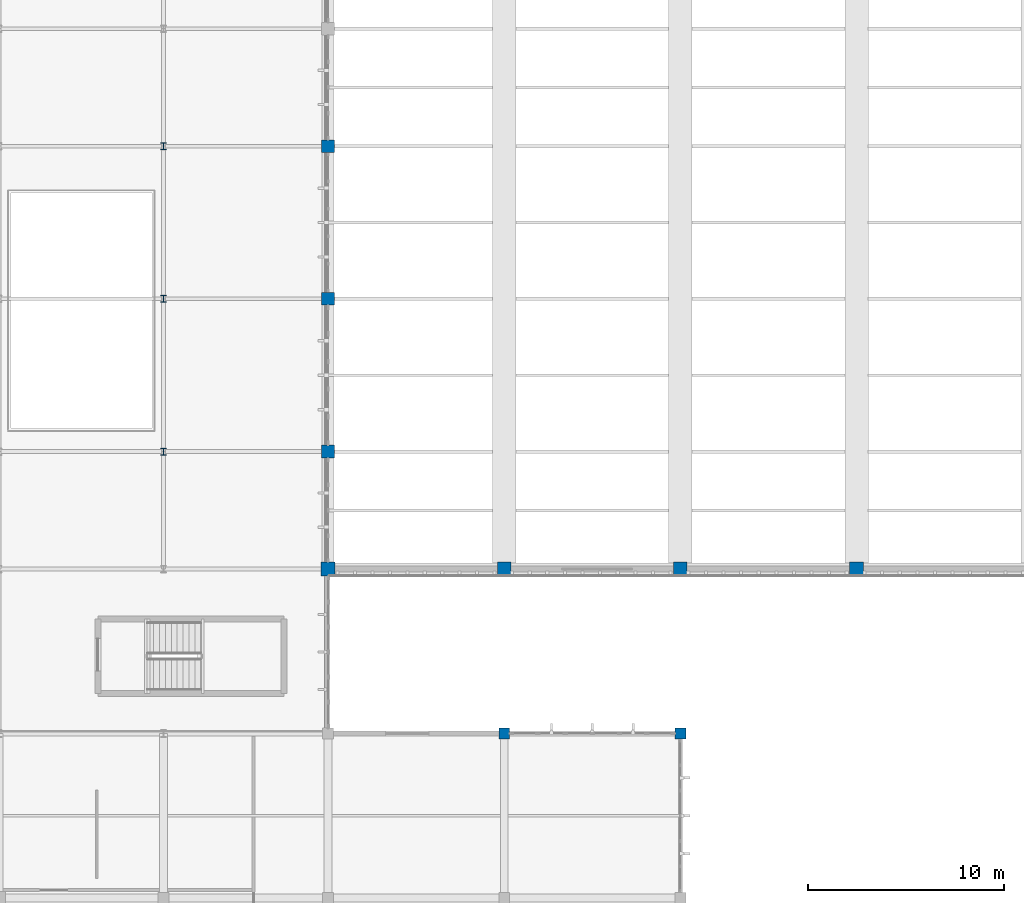
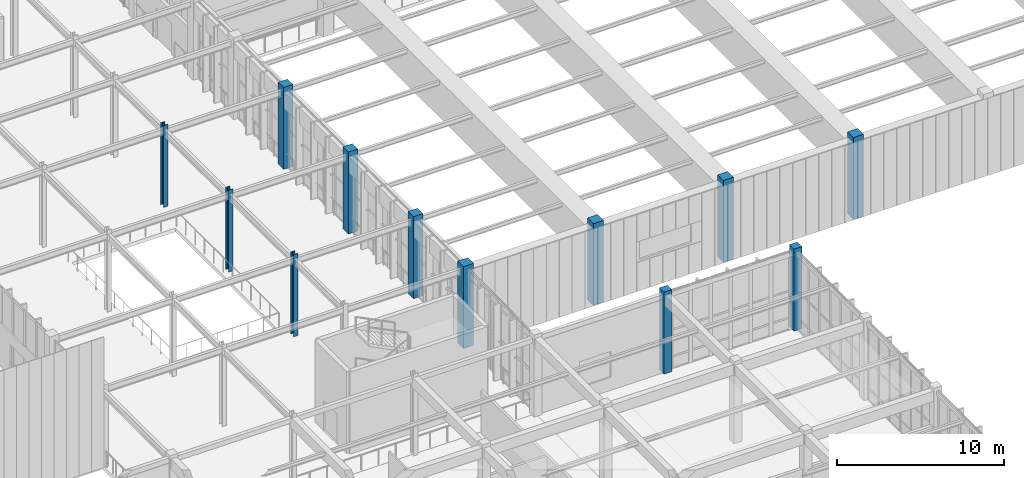
# One storey, part 4 of 105: 12 columns.
"""IFC4 building model written with IfcOpenShell, lengths in metres."""

from ifc_helpers import new_model, si_unit, direction, frame, origin, origin_2d, place, context, subcontext, project, spatial, rectangle, i_section, extrude, material, material_profile, profile_set, type_object, element, save


model = new_model("IFC4")

# Units and contexts
model_context = context("Model", 3, precision=1e-05, world=origin(), true_north=direction((0.0, 1.0)))
body_context = subcontext(model_context, "Body", "Model", "MODEL_VIEW")
ifc_project = project(units=[si_unit("LENGTHUNIT", "METRE"), si_unit("AREAUNIT", "SQUARE_METRE"), si_unit("VOLUMEUNIT", "CUBIC_METRE"), si_unit("PLANEANGLEUNIT", "RADIAN"), si_unit("MASSUNIT", "GRAM", prefix="KILO")], contexts=[model_context])

# Site, building, storey
site_placement = place(None, origin())
site = spatial("IfcSite", under=ifc_project, at=site_placement, CompositionType="ELEMENT")
building_placement = place(site_placement, origin())
building = spatial("IfcBuilding", under=site, at=building_placement, Name="Tizgana Railside Sports Hall", CompositionType="ELEMENT")
storey_placement = place(building_placement, frame((0.0, 0.0, 6.0)))
storey = spatial("IfcBuildingStorey", under=building, at=storey_placement, Name="L01", CompositionType="ELEMENT", Elevation=6.0)

# Columns
ifc_material_1 = material(Name="Concrete C40/50", Category="concrete")
ifc_material_profile_1 = material_profile(ifc_material_1, rectangle(XDim=0.550048828125, YDim=0.550048828125, at=origin_2d()), Name="RC 550x550")
ifc_profile_set_1 = profile_set([ifc_material_profile_1], Name="Concrete C40/50")
column_type_1 = type_object("IfcColumnType", Name="Concrete Column RC 550x550", PredefinedType="COLUMN", material=ifc_profile_set_1)
for number, where, z_axis, x_axis, name in (
    (1, (88.800048828125, 32.39990234375, 0.0), (0.0, 0.0, 1.0), (1.0, 0.0, 0.0), "L01 COL-0838"),
    (2, (97.800048828125, 32.39990234375, 0.0), (0.0, 0.0, 1.0), (1.0, 0.0, 0.0), "L01 COL-0858"),
):
    element("IfcColumn", number, at=place(storey_placement, frame(where, z_axis=z_axis, x_axis=x_axis)), inside=storey, type_object=column_type_1, Name=name, PredefinedType="COLUMN", context=body_context, shape_type="SweptSolid", body=[
        extrude(rectangle(XDim=0.550048828125, YDim=0.550048828125, at=origin_2d()), origin(), (0.0, 0.0, 1.0), 6.0),
    ])
ifc_material_profile_2 = material_profile(ifc_material_1, rectangle(XDim=0.64990234375, YDim=0.64990234375, at=origin_2d()), Name="RC 650x650")
ifc_profile_set_2 = profile_set([ifc_material_profile_2], Name="Concrete C40/50")
column_type_2 = type_object("IfcColumnType", Name="Concrete Column RC 650x650", PredefinedType="COLUMN", material=ifc_profile_set_2)
for number, where, z_axis, x_axis, name in (
    (3, (79.800048828125, 46.800048828125, 0.0), (0.0, 0.0, 1.0), (1.0, 0.0, 0.0), "L01 COL-0258"),
    (4, (79.800048828125, 54.60009765625, 0.0), (0.0, 0.0, 1.0), (1.0, 0.0, 0.0), "L01 COL-0261"),
    (5, (79.800048828125, 62.39990234375, 0.0), (0.0, 0.0, 1.0), (1.0, 0.0, 0.0), "L01 COL-0264"),
):
    element("IfcColumn", number, at=place(storey_placement, frame(where, z_axis=z_axis, x_axis=x_axis)), inside=storey, type_object=column_type_2, Name=name, PredefinedType="COLUMN", context=body_context, shape_type="SweptSolid", body=[
        extrude(rectangle(XDim=0.64990234375, YDim=0.64990234375, at=origin_2d()), origin(), (0.0, 0.0, 1.0), 6.0),
    ])
ifc_material_profile_3 = material_profile(ifc_material_1, rectangle(XDim=0.699951171875, YDim=0.699951171875, at=origin_2d()), Name="RC 700x700")
ifc_profile_set_3 = profile_set([ifc_material_profile_3], Name="Concrete C40/50")
column_type_3 = type_object("IfcColumnType", Name="Concrete Column RC 700x700", PredefinedType="COLUMN", material=ifc_profile_set_3)
for number, where, z_axis, x_axis, name in (
    (6, (79.800048828125, 40.800048828125, 0.0), (0.0, 0.0, 1.0), (1.0, 0.0, 0.0), "L01 COL-0252"),
    (7, (88.800048828125, 40.800048828125, 0.0), (0.0, 0.0, 1.0), (1.0, 0.0, 0.0), "L01 COL-0281"),
    (8, (97.800048828125, 40.800048828125, 0.0), (0.0, 0.0, 1.0), (1.0, 0.0, 0.0), "L01 COL-0302"),
    (9, (106.800048828125, 40.800048828125, 0.0), (0.0, 0.0, 1.0), (1.0, 0.0, 0.0), "L01 COL-0323"),
):
    element("IfcColumn", number, at=place(storey_placement, frame(where, z_axis=z_axis, x_axis=x_axis)), inside=storey, type_object=column_type_3, Name=name, PredefinedType="COLUMN", context=body_context, shape_type="SweptSolid", body=[
        extrude(rectangle(XDim=0.699951171875, YDim=0.699951171875, at=origin_2d()), origin(), (0.0, 0.0, 1.0), 6.0),
    ])
ifc_material_2 = material(Name="Steel S355J2", Category="steel")
ifc_material_profile_4 = material_profile(ifc_material_2, i_section(OverallWidth=0.300048828125, OverallDepth=0.360107421875, WebThickness=0.012451171875, FlangeThickness=0.0224609375, FilletRadius=0.027099609375, at=origin_2d()), Name="HEB 360")
ifc_profile_set_4 = profile_set([ifc_material_profile_4], Name="Steel S355J2")
column_type_4 = type_object("IfcColumnType", Name="Steel Column HEB 360", PredefinedType="COLUMN", material=ifc_profile_set_4)
for number, where, z_axis, x_axis, name in (
    (10, (71.39990234375, 46.800048828125, 0.0), (0.0, 0.0, 1.0), (1.0, 0.0, 0.0), "L01 COL-0225"),
    (11, (71.39990234375, 54.60009765625, 0.0), (0.0, 0.0, 1.0), (1.0, 0.0, 0.0), "L01 COL-0228"),
    (12, (71.39990234375, 62.39990234375, 0.0), (0.0, 0.0, 1.0), (1.0, 0.0, 0.0), "L01 COL-0231"),
):
    element("IfcColumn", number, at=place(storey_placement, frame(where, z_axis=z_axis, x_axis=x_axis)), inside=storey, type_object=column_type_4, Name=name, PredefinedType="COLUMN", context=body_context, shape_type="SweptSolid", body=[
        extrude(i_section(OverallWidth=0.300048828125, OverallDepth=0.360107421875, WebThickness=0.012451171875, FlangeThickness=0.0224609375, FilletRadius=0.027099609375, at=origin_2d()), origin(), (0.0, 0.0, 1.0), 6.0),
    ])

save(model, "model.ifc")
